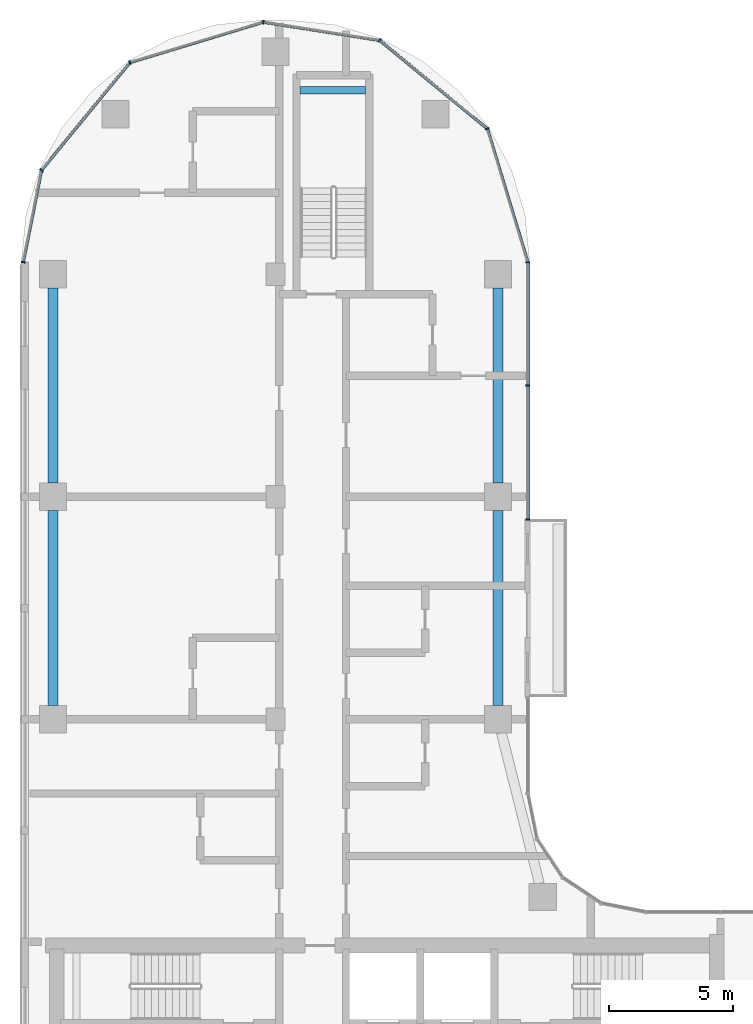
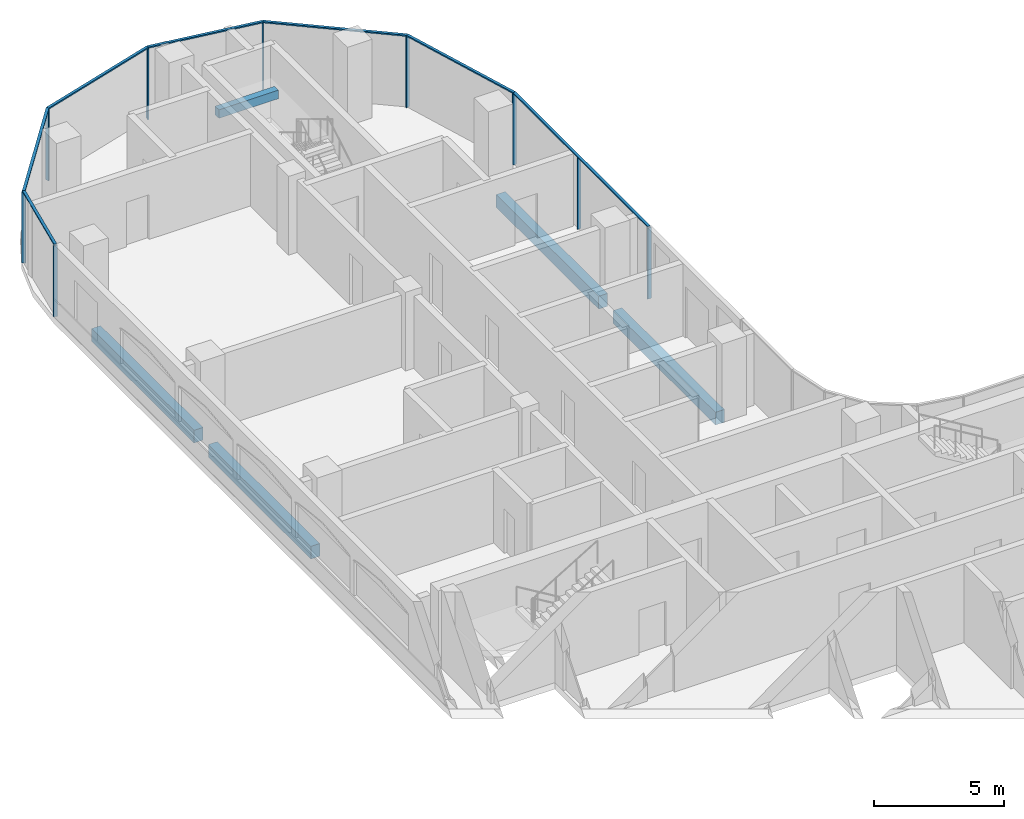
# One storey, part 5 of 23: 16 members, 5 beams, 2 elements without a shape of their own.
"""IFC4 building model written with IfcOpenShell, lengths in metres."""

from ifc_helpers import new_model, si_unit, direction, frame, origin, origin_2d, place, context, subcontext, project, spatial, rectangle, extrude, material, material_profile, profile_set, type_object, element, aggregate, save


model = new_model("IFC4")

# Units and contexts
model_context = context("Model", 3, precision=1e-05, world=origin(), true_north=direction((0.0, 1.0)))
body_context = subcontext(model_context, "Body", "Model", "MODEL_VIEW")
ifc_project = project(units=[si_unit("LENGTHUNIT", "METRE"), si_unit("AREAUNIT", "SQUARE_METRE"), si_unit("VOLUMEUNIT", "CUBIC_METRE"), si_unit("PLANEANGLEUNIT", "RADIAN"), si_unit("MASSUNIT", "GRAM", prefix="KILO")], contexts=[model_context])

# Site, building, storey
site_placement = place(None, origin())
site = spatial("IfcSite", under=ifc_project, at=site_placement, CompositionType="ELEMENT")
building_placement = place(site_placement, origin())
building = spatial("IfcBuilding", under=site, at=building_placement, Name="Ogive Portal Towers", CompositionType="ELEMENT")
storey_placement = place(building_placement, frame((0.0, 0.0, 164.39990234375)))
storey = spatial("IfcBuildingStorey", under=building, at=storey_placement, Name="L40", CompositionType="ELEMENT", Elevation=164.39990234375)

# Beam
ifc_material_1 = material(Name="Concrete C40/50", Category="concrete")
ifc_material_profile_1 = material_profile(ifc_material_1, rectangle(XDim=0.300048828125, YDim=0.39990234375, at=origin_2d()), Name="RC 300x400")
ifc_profile_set_1 = profile_set([ifc_material_profile_1], Name="Concrete C40/50")
beam_type_1 = type_object("IfcBeamType", Name="BEAM RC 300x400", PredefinedType="BEAM", material=ifc_profile_set_1)
beam_placement = place(storey_placement, frame((41.5, 73.949951171875, 1.4501953125), z_axis=(1.0, 0.0, 0.0), x_axis=(0.0, 1.0, 0.0)))
element("IfcBeam", 1, at=beam_placement, inside=storey, type_object=beam_type_1, Name="Landing beam L40", PredefinedType="BEAM", context=body_context, shape_type="SweptSolid", body=[
    extrude(rectangle(XDim=0.300048828125, YDim=0.39990234375, at=origin_2d()), origin(), (0.0, 0.0, 1.0), 2.64990234375),
])

# Curtain wall, members
ifc_material_2 = material(Name="Glass, clear low-iron insulated glazing", Category="glass")
curtain_wall_type = type_object("IfcCurtainWallType", Name="CW FRONT RIBBON 4500", PredefinedType="NOTDEFINED", material=ifc_material_2)
curtain_wall_1_placement = place(storey_placement, origin())
curtain_wall_1 = element("IfcCurtainWall", 2, at=curtain_wall_1_placement, inside=storey, type_object=curtain_wall_type, Name="A:L40:f12:cw1", PredefinedType="NOTDEFINED")
ifc_material_3 = material(Name="Aluminium 6063 anodised", Category="aluminium")
ifc_material_profile_2 = material_profile(ifc_material_3, rectangle(XDim=0.159912109375, YDim=0.06005859375, at=origin_2d()), Name="AL 60x160")
ifc_profile_set_2 = profile_set([ifc_material_profile_2], Name="Aluminium 6063 anodised")
member_type_1 = type_object("IfcMemberType", Name="CW MULLION 60x160", PredefinedType="MULLION", material=ifc_profile_set_2)
member_1_placement = place(storey_placement, frame((50.705078125, 56.590087890625, 0.0), z_axis=(0.0, 0.0, 1.0), x_axis=(-1.0, 0.0, 0.0)))
member_1 = element("IfcMember", 3, at=member_1_placement, type_object=member_type_1, Name="mullion", PredefinedType="MULLION", context=body_context, shape_type="SweptSolid", body=[
    extrude(rectangle(XDim=0.159912109375, YDim=0.06005859375, at=origin_2d()), origin(), (0.0, 0.0, 1.0), 3.340087890625),
])
member_2_placement = place(storey_placement, frame((50.705078125, 62.0, 0.0), z_axis=(0.0, 0.0, 1.0), x_axis=(-1.0, 0.0, 0.0)))
member_2 = element("IfcMember", 4, at=member_2_placement, type_object=member_type_1, Name="mullion", PredefinedType="MULLION", context=body_context, shape_type="SweptSolid", body=[
    extrude(rectangle(XDim=0.159912109375, YDim=0.06005859375, at=origin_2d()), origin(), (0.0, 0.0, 1.0), 3.340087890625),
])
member_3_placement = place(storey_placement, frame((50.705078125, 66.988037109375, 0.0), z_axis=(0.0, 0.0, 1.0), x_axis=(-1.0, 0.0, 0.0)))
member_3 = element("IfcMember", 5, at=member_3_placement, type_object=member_type_1, Name="mullion", PredefinedType="MULLION", context=body_context, shape_type="SweptSolid", body=[
    extrude(rectangle(XDim=0.159912109375, YDim=0.06005859375, at=origin_2d()), origin(), (0.0, 0.0, 1.0), 3.340087890625),
])

curtain_wall_2_placement = place(storey_placement, origin())
curtain_wall_2 = element("IfcCurtainWall", 6, at=curtain_wall_2_placement, inside=storey, type_object=curtain_wall_type, Name="A:L40:f13:cwa", PredefinedType="NOTDEFINED")
member_4_placement = place(storey_placement, frame((49.06640625, 72.389892578125, 0.0), z_axis=(0.0, 0.0, 1.0), x_axis=(-0.956940335732, -0.290284677254, 0.0)))
member_4 = element("IfcMember", 7, at=member_4_placement, type_object=member_type_1, Name="mullion", PredefinedType="MULLION", context=body_context, shape_type="SweptSolid", body=[
    extrude(rectangle(XDim=0.159912109375, YDim=0.06005859375, at=origin_2d()), origin(), (0.0, 0.0, 1.0), 3.340087890625),
])
member_5_placement = place(storey_placement, frame((44.710693359375, 75.964599609375, 0.0), z_axis=(0.0, 0.0, 1.0), x_axis=(-0.634393284164, -0.773010453363, 0.0)))
member_5 = element("IfcMember", 8, at=member_5_placement, type_object=member_type_1, Name="mullion", PredefinedType="MULLION", context=body_context, shape_type="SweptSolid", body=[
    extrude(rectangle(XDim=0.159912109375, YDim=0.06005859375, at=origin_2d()), origin(), (0.0, 0.0, 1.0), 3.340087890625),
])
member_6_placement = place(storey_placement, frame((40.005615234375, 76.703125, 0.0), z_axis=(0.0, 0.0, 1.0), x_axis=(-0.15508857602, -0.987900568675, 0.0)))
member_6 = element("IfcMember", 9, at=member_6_placement, type_object=member_type_1, Name="mullion", PredefinedType="MULLION", context=body_context, shape_type="SweptSolid", body=[
    extrude(rectangle(XDim=0.159912109375, YDim=0.06005859375, at=origin_2d()), origin(), (0.0, 0.0, 1.0), 3.340087890625),
])
member_7_placement = place(storey_placement, frame((34.610107421875, 75.06640625, 0.0), z_axis=(0.0, 0.0, 1.0), x_axis=(0.290284677254, -0.956940335732, 0.0)))
member_7 = element("IfcMember", 10, at=member_7_placement, type_object=member_type_1, Name="mullion", PredefinedType="MULLION", context=body_context, shape_type="SweptSolid", body=[
    extrude(rectangle(XDim=0.159912109375, YDim=0.06005859375, at=origin_2d()), origin(), (0.0, 0.0, 1.0), 3.340087890625),
])
member_8_placement = place(storey_placement, frame((31.034423828125, 70.709228515625, 0.0), z_axis=(0.0, 0.0, 1.0), x_axis=(0.773010453363, -0.634393284164, 0.0)))
member_8 = element("IfcMember", 11, at=member_8_placement, type_object=member_type_1, Name="mullion", PredefinedType="MULLION", context=body_context, shape_type="SweptSolid", body=[
    extrude(rectangle(XDim=0.159912109375, YDim=0.06005859375, at=origin_2d()), origin(), (0.0, 0.0, 1.0), 3.340087890625),
])
member_9_placement = place(storey_placement, frame((30.294921875, 66.9921875, 0.0), z_axis=(0.0, 0.0, 1.0), x_axis=(0.980785280403, -0.195090322016, 0.0)))
member_9 = element("IfcMember", 12, at=member_9_placement, type_object=member_type_1, Name="mullion", PredefinedType="MULLION", context=body_context, shape_type="SweptSolid", body=[
    extrude(rectangle(XDim=0.159912109375, YDim=0.06005859375, at=origin_2d()), origin(), (0.0, 0.0, 1.0), 3.340087890625),
])

# Member
ifc_material_profile_3 = material_profile(ifc_material_3, rectangle(XDim=0.1201171875, YDim=0.06005859375, at=origin_2d()), Name="AL 120x60")
ifc_profile_set_3 = profile_set([ifc_material_profile_3], Name="Aluminium 6063 anodised")
member_type_2 = type_object("IfcMemberType", Name="CW TRANSOM 60x120", PredefinedType="USERDEFINED", material=ifc_profile_set_3)
member_10_placement = place(storey_placement, frame((50.705078125, 56.590087890625, 3.3701171875), z_axis=(0.0, 1.0, 0.0), x_axis=(-1.0, 0.0, 0.0)))
member_10 = element("IfcMember", 13, at=member_10_placement, type_object=member_type_2, Name="transom", ObjectType="TRANSOM", PredefinedType="USERDEFINED", context=body_context, shape_type="SweptSolid", body=[
    extrude(rectangle(XDim=0.1201171875, YDim=0.06005859375, at=origin_2d()), origin(), (0.0, 0.0, 1.0), 10.39794921875),
])

aggregate(curtain_wall_1, [member_10, member_1, member_2, member_3])

member_11_placement = place(storey_placement, frame((50.705078125, 66.988037109375, 3.3701171875), z_axis=(-0.290290668645, 0.956938518243, 0.0), x_axis=(-0.956938518243, -0.290290668645, 0.0)))
member_11 = element("IfcMember", 14, at=member_11_placement, type_object=member_type_2, Name="transom", ObjectType="TRANSOM", PredefinedType="USERDEFINED", context=body_context, shape_type="SweptSolid", body=[
    extrude(rectangle(XDim=0.1201171875, YDim=0.06005859375, at=origin_2d()), origin(), (0.0, 0.0, 1.0), 5.64501953125),
])

member_12_placement = place(storey_placement, frame((49.06640625, 72.389892578125, 3.3701171875), z_axis=(-0.773004723045, 0.634400266511, 0.0), x_axis=(-0.634400266511, -0.773004723045, 0.0)))
member_12 = element("IfcMember", 15, at=member_12_placement, type_object=member_type_2, Name="transom", ObjectType="TRANSOM", PredefinedType="USERDEFINED", context=body_context, shape_type="SweptSolid", body=[
    extrude(rectangle(XDim=0.1201171875, YDim=0.06005859375, at=origin_2d()), origin(), (0.0, 0.0, 1.0), 5.634765625),
])

member_13_placement = place(storey_placement, frame((44.710693359375, 75.964599609375, 3.3701171875), z_axis=(-0.987904287541, 0.155064885316, 0.0), x_axis=(-0.155064885316, -0.987904287541, 0.0)))
member_13 = element("IfcMember", 16, at=member_13_placement, type_object=member_type_2, Name="transom", ObjectType="TRANSOM", PredefinedType="USERDEFINED", context=body_context, shape_type="SweptSolid", body=[
    extrude(rectangle(XDim=0.1201171875, YDim=0.06005859375, at=origin_2d()), origin(), (0.0, 0.0, 1.0), 4.7626953125),
])

member_14_placement = place(storey_placement, frame((40.005615234375, 76.703125, 3.3701171875), z_axis=(-0.956939875143, -0.290286195609, 0.0), x_axis=(0.290286195609, -0.956939875143, 0.0)))
member_14 = element("IfcMember", 17, at=member_14_placement, type_object=member_type_2, Name="transom", ObjectType="TRANSOM", PredefinedType="USERDEFINED", context=body_context, shape_type="SweptSolid", body=[
    extrude(rectangle(XDim=0.1201171875, YDim=0.06005859375, at=origin_2d()), origin(), (0.0, 0.0, 1.0), 5.63818359375),
])

member_15_placement = place(storey_placement, frame((34.610107421875, 75.06640625, 3.3701171875), z_axis=(-0.634376347317, -0.773024352763, 0.0), x_axis=(0.773024352763, -0.634376347317, 0.0)))
member_15 = element("IfcMember", 18, at=member_15_placement, type_object=member_type_2, Name="transom", ObjectType="TRANSOM", PredefinedType="USERDEFINED", context=body_context, shape_type="SweptSolid", body=[
    extrude(rectangle(XDim=0.1201171875, YDim=0.06005859375, at=origin_2d()), origin(), (0.0, 0.0, 1.0), 5.636474609375),
])

member_16_placement = place(storey_placement, frame((31.034423828125, 70.709228515625, 3.3701171875), z_axis=(-0.195124974332, -0.980778386993, 0.0), x_axis=(0.980778386993, -0.195124974332, 0.0)))
member_16 = element("IfcMember", 19, at=member_16_placement, type_object=member_type_2, Name="transom", ObjectType="TRANSOM", PredefinedType="USERDEFINED", context=body_context, shape_type="SweptSolid", body=[
    extrude(rectangle(XDim=0.1201171875, YDim=0.06005859375, at=origin_2d()), origin(), (0.0, 0.0, 1.0), 3.789794921875),
])

aggregate(curtain_wall_2, [member_11, member_12, member_13, member_14, member_15, member_16, member_4, member_5, member_6, member_7, member_8, member_9])

# Beams
ifc_material_profile_4 = material_profile(ifc_material_1, rectangle(XDim=0.39990234375, YDim=0.60009765625, at=origin_2d()), Name="RC 400x600")
ifc_profile_set_4 = profile_set([ifc_material_profile_4], Name="Concrete C40/50")
beam_type_2 = type_object("IfcBeamType", Name="SPANDREL BEAM RC 400x600", PredefinedType="BEAM", material=ifc_profile_set_4)
for number, where, z_axis, x_axis, name in (
    (20, (31.5, 49.050048828125, -0.599853515625), (0.0, 1.0, 0.0), (-1.0, 0.0, 0.0), "Spandrel beam L40"),
    (21, (31.5, 58.050048828125, -0.599853515625), (0.0, 1.0, 0.0), (-1.0, 0.0, 0.0), "Spandrel beam L40"),
    (22, (49.5, 65.949951171875, -0.599853515625), (0.0, -1.0, 0.0), (1.0, 0.0, 0.0), "Spandrel beam L40"),
    (23, (49.5, 56.949951171875, -0.599853515625), (0.0, -1.0, 0.0), (1.0, 0.0, 0.0), "Spandrel beam L40"),
):
    element("IfcBeam", number, at=place(storey_placement, frame(where, z_axis=z_axis, x_axis=x_axis)), inside=storey, type_object=beam_type_2, Name=name, PredefinedType="BEAM", context=body_context, shape_type="SweptSolid", body=[
        extrude(rectangle(XDim=0.39990234375, YDim=0.60009765625, at=origin_2d()), origin(), (0.0, 0.0, 1.0), 7.89990234375),
    ])

save(model, "model.ifc")
